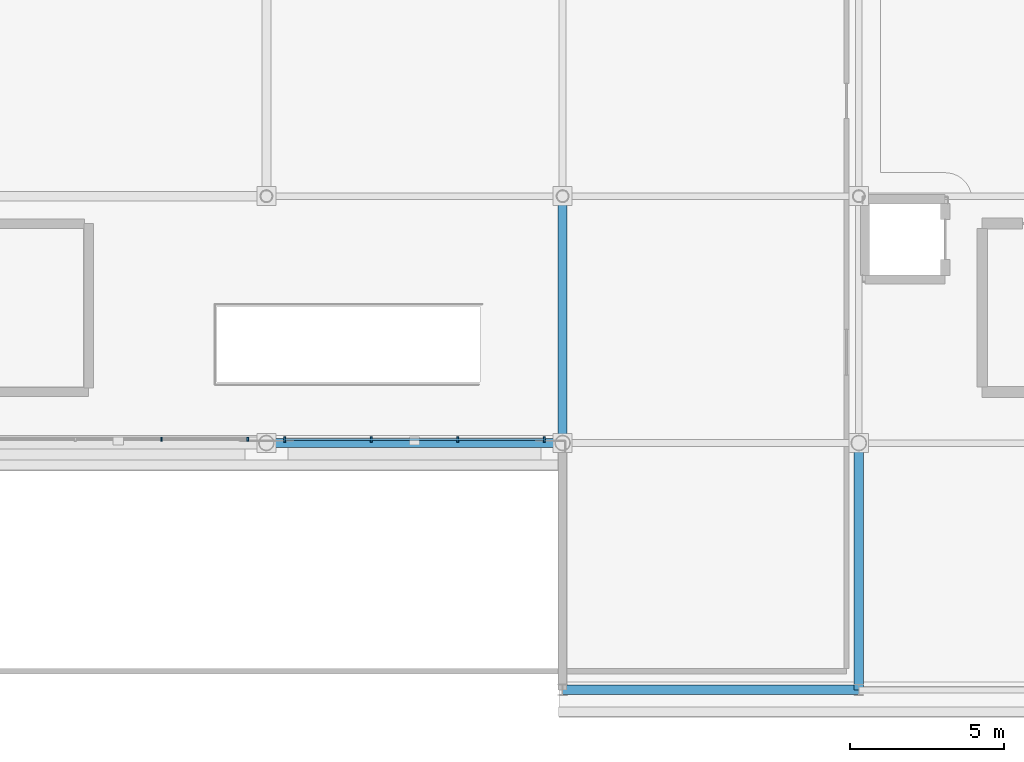
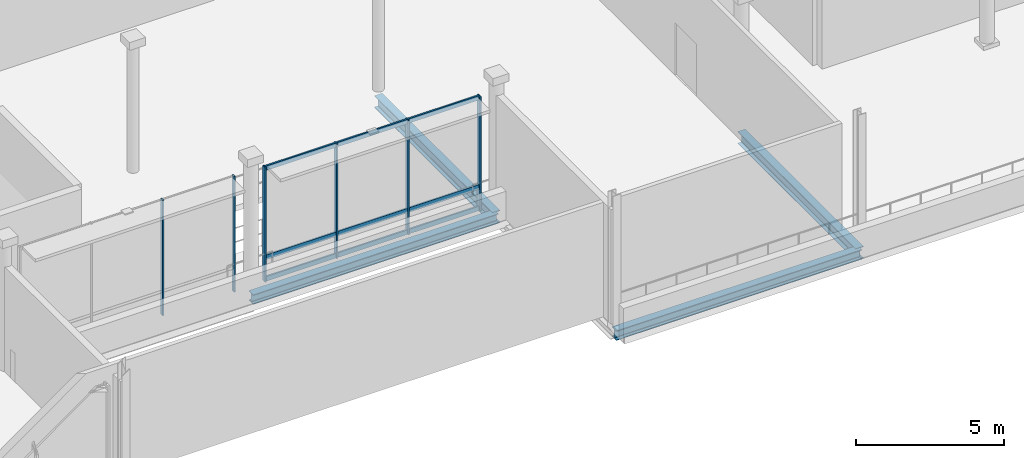
# One storey, part 56 of 129: 9 members, 4 beams, 2 elements without a shape of their own.
"""IFC4 building model written with IfcOpenShell, lengths in metres."""

from ifc_helpers import new_model, si_unit, direction, frame, origin, origin_2d, place, context, subcontext, project, spatial, rectangle, i_section, extrude, material, material_profile, profile_set, type_object, element, aggregate, save


model = new_model("IFC4")

# Units and contexts
model_context = context("Model", 3, precision=1e-05, world=origin(), true_north=direction((0.0, 1.0)))
body_context = subcontext(model_context, "Body", "Model", "MODEL_VIEW")
ifc_project = project(units=[si_unit("LENGTHUNIT", "METRE"), si_unit("AREAUNIT", "SQUARE_METRE"), si_unit("VOLUMEUNIT", "CUBIC_METRE"), si_unit("PLANEANGLEUNIT", "RADIAN"), si_unit("MASSUNIT", "GRAM", prefix="KILO")], contexts=[model_context])

# Site, building, storey
site_placement = place(None, origin())
site = spatial("IfcSite", under=ifc_project, at=site_placement, CompositionType="ELEMENT")
building_placement = place(site_placement, origin())
building = spatial("IfcBuilding", under=site, at=building_placement, Name="Danafjord Basin Convention Centre", CompositionType="ELEMENT")
storey_placement = place(building_placement, frame((0.0, 0.0, 6.0)))
storey = spatial("IfcBuildingStorey", under=building, at=storey_placement, Name="L01", CompositionType="ELEMENT", Elevation=6.0)

# Beams
ifc_material_1 = material(Name="Steel S355", Category="steel")
ifc_material_profile_1 = material_profile(ifc_material_1, i_section(OverallWidth=0.300048828125, OverallDepth=0.5, WebThickness=0.014404296875, FlangeThickness=0.028076171875, FilletRadius=0.027099609375, at=origin_2d()), Name="HEB 500")
ifc_profile_set_1 = profile_set([ifc_material_profile_1], Name="Steel S355")
beam_type_1 = type_object("IfcBeamType", Name="BEAM-BM-HEB500", PredefinedType="BEAM", material=ifc_profile_set_1)
for number, where, z_axis, x_axis, name in (
    (1, (172.800048828125, 8.0, -0.47998046875), (0.0, 1.0, 0.0), (-1.0, 0.0, 0.0), "L01 transverse girder BM-HEB500"),
    (2, (182.39990234375, 0.0, -0.47998046875), (0.0, 1.0, 0.0), (-1.0, 0.0, 0.0), "L01 transverse girder BM-HEB500"),
):
    element("IfcBeam", number, at=place(storey_placement, frame(where, z_axis=z_axis, x_axis=x_axis)), inside=storey, type_object=beam_type_1, Name=name, PredefinedType="BEAM", context=body_context, shape_type="SweptSolid", body=[
        extrude(i_section(OverallWidth=0.300048828125, OverallDepth=0.5, WebThickness=0.014404296875, FlangeThickness=0.028076171875, FilletRadius=0.027099609375, at=origin_2d()), origin(), (0.0, 0.0, 1.0), 8.0),
    ])
ifc_material_profile_2 = material_profile(ifc_material_1, i_section(OverallWidth=0.300048828125, OverallDepth=0.39990234375, WebThickness=0.013427734375, FlangeThickness=0.02392578125, FilletRadius=0.027099609375, at=origin_2d()), Name="HEB 400")
ifc_profile_set_2 = profile_set([ifc_material_profile_2], Name="Steel S355")
beam_type_2 = type_object("IfcBeamType", Name="BEAM-SP-HEB400", PredefinedType="SPANDREL", material=ifc_profile_set_2)
beam_1_placement = place(storey_placement, frame((163.199951171875, 8.0, -0.429931640625), z_axis=(1.0, 0.0, 0.0), x_axis=(0.0, 1.0, 0.0)))
element("IfcBeam", 3, at=beam_1_placement, inside=storey, type_object=beam_type_2, Name="L01 girder SP-HEB400", PredefinedType="SPANDREL", context=body_context, shape_type="SweptSolid", body=[
    extrude(i_section(OverallWidth=0.300048828125, OverallDepth=0.39990234375, WebThickness=0.013427734375, FlangeThickness=0.02392578125, FilletRadius=0.027099609375, at=origin_2d()), origin(), (0.0, 0.0, 1.0), 9.60009765625),
])
beam_2_placement = place(storey_placement, frame((172.800048828125, 0.0, -0.429931640625), z_axis=(1.0, 0.0, 0.0), x_axis=(0.0, 1.0, 0.0)))
element("IfcBeam", 4, at=beam_2_placement, inside=storey, type_object=beam_type_2, Name="L01 girder SP-HEB400", PredefinedType="SPANDREL", context=body_context, shape_type="SweptSolid", body=[
    extrude(i_section(OverallWidth=0.300048828125, OverallDepth=0.39990234375, WebThickness=0.013427734375, FlangeThickness=0.02392578125, FilletRadius=0.027099609375, at=origin_2d()), origin(), (0.0, 0.0, 1.0), 9.599853515625),
])

# Curtain wall, members
ifc_material_2 = material(Name="Anodised aluminium and triple glazing", Category="aluminium")
curtain_wall_type = type_object("IfcCurtainWallType", Name="CW-CW-HARB", PredefinedType="NOTDEFINED", material=ifc_material_2)
curtain_wall_1_placement = place(storey_placement, origin())
curtain_wall_1 = element("IfcCurtainWall", 5, at=curtain_wall_1_placement, inside=storey, type_object=curtain_wall_type, Name="L01 CW-HARB unitised curtain wall bay 145", PredefinedType="NOTDEFINED")
ifc_material_3 = material(Name="Anodised aluminium EN AW-6060", Category="aluminium")
ifc_material_profile_3 = material_profile(ifc_material_3, rectangle(XDim=0.06005859375, YDim=0.139892578125, at=origin_2d()), Name="MULL 60x140")
ifc_profile_set_3 = profile_set([ifc_material_profile_3], Name="Anodised aluminium EN AW-6060")
member_type_1 = type_object("IfcMemberType", Name="MEM-ML-140", PredefinedType="MULLION", material=ifc_profile_set_3)
member_1_placement = place(storey_placement, frame((159.800048828125, 8.1201171875, -0.02490234375), z_axis=(0.0, 0.0, 1.0), x_axis=(1.0, 0.0, 0.0)))
member_1 = element("IfcMember", 6, at=member_1_placement, type_object=member_type_1, Name="CW-L01-145 mullion 3", PredefinedType="MULLION", context=body_context, shape_type="SweptSolid", body=[
    extrude(rectangle(XDim=0.06005859375, YDim=0.139892578125, at=origin_2d()), origin(), (0.0, 0.0, 1.0), 4.784912109375),
])
member_2_placement = place(storey_placement, frame((162.60009765625, 8.1201171875, -0.02490234375), z_axis=(0.0, 0.0, 1.0), x_axis=(1.0, 0.0, 0.0)))
member_2 = element("IfcMember", 7, at=member_2_placement, type_object=member_type_1, Name="CW-L01-145 mullion 4", PredefinedType="MULLION", context=body_context, shape_type="SweptSolid", body=[
    extrude(rectangle(XDim=0.06005859375, YDim=0.139892578125, at=origin_2d()), origin(), (0.0, 0.0, 1.0), 4.784912109375),
])
aggregate(curtain_wall_1, [member_1, member_2])

curtain_wall_2_placement = place(storey_placement, origin())
curtain_wall_2 = element("IfcCurtainWall", 8, at=curtain_wall_2_placement, inside=storey, type_object=curtain_wall_type, Name="L01 CW-HARB unitised curtain wall bay 146", PredefinedType="NOTDEFINED")
ifc_material_profile_4 = material_profile(ifc_material_3, rectangle(XDim=0.06005859375, YDim=0.179931640625, at=origin_2d()), Name="MULL 60x180")
ifc_profile_set_4 = profile_set([ifc_material_profile_4], Name="Anodised aluminium EN AW-6060")
member_type_2 = type_object("IfcMemberType", Name="MEM-ML-180", PredefinedType="MULLION", material=ifc_profile_set_4)
member_3_placement = place(storey_placement, frame((163.800048828125, 8.1201171875, -0.02490234375), z_axis=(0.0, 0.0, 1.0), x_axis=(1.0, 0.0, 0.0)))
member_3 = element("IfcMember", 9, at=member_3_placement, type_object=member_type_2, Name="CW-L01-146 mullion 1", PredefinedType="MULLION", context=body_context, shape_type="SweptSolid", body=[
    extrude(rectangle(XDim=0.06005859375, YDim=0.179931640625, at=origin_2d()), origin(), (0.0, 0.0, 1.0), 4.73486328125),
])
member_4_placement = place(storey_placement, frame((166.60009765625, 8.1201171875, -0.02490234375), z_axis=(0.0, 0.0, 1.0), x_axis=(1.0, 0.0, 0.0)))
member_4 = element("IfcMember", 10, at=member_4_placement, type_object=member_type_2, Name="CW-L01-146 mullion 2", PredefinedType="MULLION", context=body_context, shape_type="SweptSolid", body=[
    extrude(rectangle(XDim=0.06005859375, YDim=0.179931640625, at=origin_2d()), origin(), (0.0, 0.0, 1.0), 4.73486328125),
])
member_5_placement = place(storey_placement, frame((169.39990234375, 8.1201171875, -0.02490234375), z_axis=(0.0, 0.0, 1.0), x_axis=(1.0, 0.0, 0.0)))
member_5 = element("IfcMember", 11, at=member_5_placement, type_object=member_type_2, Name="CW-L01-146 mullion 3", PredefinedType="MULLION", context=body_context, shape_type="SweptSolid", body=[
    extrude(rectangle(XDim=0.06005859375, YDim=0.179931640625, at=origin_2d()), origin(), (0.0, 0.0, 1.0), 4.73486328125),
])
member_6_placement = place(storey_placement, frame((172.199951171875, 8.1201171875, -0.02490234375), z_axis=(0.0, 0.0, 1.0), x_axis=(1.0, 0.0, 0.0)))
member_6 = element("IfcMember", 12, at=member_6_placement, type_object=member_type_2, Name="CW-L01-146 mullion 4", PredefinedType="MULLION", context=body_context, shape_type="SweptSolid", body=[
    extrude(rectangle(XDim=0.06005859375, YDim=0.179931640625, at=origin_2d()), origin(), (0.0, 0.0, 1.0), 4.73486328125),
])
ifc_material_profile_5 = material_profile(ifc_material_3, rectangle(XDim=0.06494140625, YDim=0.18994140625, at=origin_2d()), Name="TRAN 65x190")
ifc_profile_set_5 = profile_set([ifc_material_profile_5], Name="Anodised aluminium EN AW-6060")
member_type_3 = type_object("IfcMemberType", Name="MEM-TR-190", PredefinedType="USERDEFINED", material=ifc_profile_set_5)
member_7_placement = place(storey_placement, frame((163.800048828125, 8.1201171875, 0.06005859375), z_axis=(1.0, 0.0, 0.0), x_axis=(0.0, 1.0, 0.0)))
member_7 = element("IfcMember", 13, at=member_7_placement, type_object=member_type_3, Name="CW-L01-146 transom 1", ObjectType="TRANSOM", PredefinedType="USERDEFINED", context=body_context, shape_type="SweptSolid", body=[
    extrude(rectangle(XDim=0.06494140625, YDim=0.18994140625, at=origin_2d()), origin(), (0.0, 0.0, 1.0), 8.39990234375),
])
member_8_placement = place(storey_placement, frame((163.800048828125, 8.1201171875, 0.949951171875), z_axis=(1.0, 0.0, 0.0), x_axis=(0.0, 1.0, 0.0)))
member_8 = element("IfcMember", 14, at=member_8_placement, type_object=member_type_3, Name="CW-L01-146 transom 2", ObjectType="TRANSOM", PredefinedType="USERDEFINED", context=body_context, shape_type="SweptSolid", body=[
    extrude(rectangle(XDim=0.06494140625, YDim=0.18994140625, at=origin_2d()), origin(), (0.0, 0.0, 1.0), 8.39990234375),
])
member_9_placement = place(storey_placement, frame((163.800048828125, 8.1201171875, 4.639892578125), z_axis=(1.0, 0.0, 0.0), x_axis=(0.0, 1.0, 0.0)))
member_9 = element("IfcMember", 15, at=member_9_placement, type_object=member_type_3, Name="CW-L01-146 transom 3", ObjectType="TRANSOM", PredefinedType="USERDEFINED", context=body_context, shape_type="SweptSolid", body=[
    extrude(rectangle(XDim=0.06494140625, YDim=0.18994140625, at=origin_2d()), origin(), (0.0, 0.0, 1.0), 8.39990234375),
])
aggregate(curtain_wall_2, [member_3, member_4, member_5, member_6, member_7, member_8, member_9])

save(model, "model.ifc")
